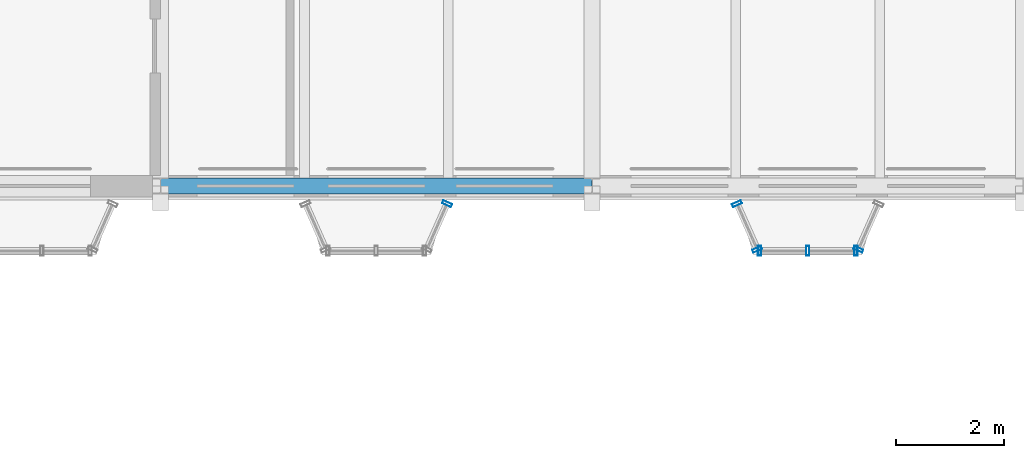
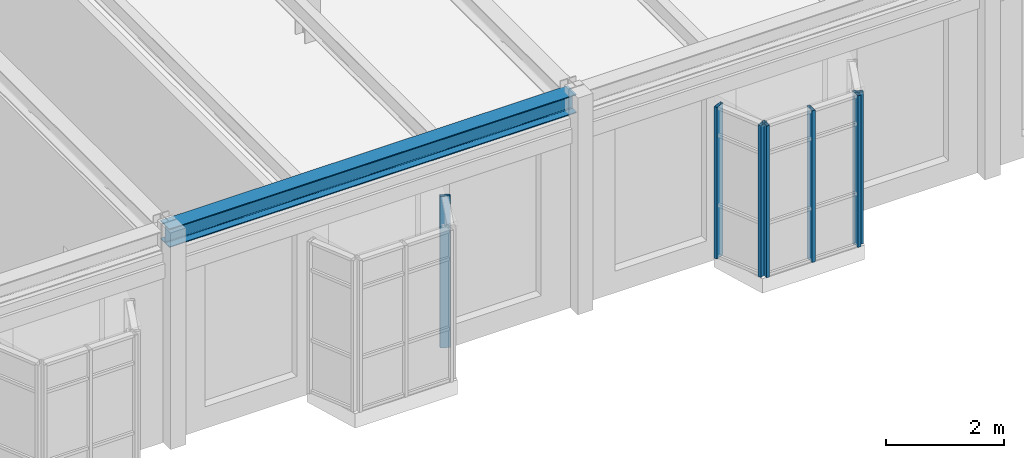
# One storey, part 45 of 153: 7 members, 1 beam, 4 elements without a shape of their own.
"""IFC4 building model written with IfcOpenShell, lengths in metres."""

from ifc_helpers import new_model, si_unit, direction, frame, origin, origin_2d, place, context, subcontext, project, spatial, hollow_rectangle, i_section, extrude, material, material_profile, profile_set, type_object, element, aggregate, save


model = new_model("IFC4")

# Units and contexts
model_context = context("Model", 3, precision=1e-05, world=origin(), true_north=direction((0.0, 1.0)))
body_context = subcontext(model_context, "Body", "Model", "MODEL_VIEW")
ifc_project = project(units=[si_unit("LENGTHUNIT", "METRE"), si_unit("AREAUNIT", "SQUARE_METRE"), si_unit("VOLUMEUNIT", "CUBIC_METRE"), si_unit("PLANEANGLEUNIT", "RADIAN"), si_unit("MASSUNIT", "GRAM", prefix="KILO")], contexts=[model_context])

# Site, building, storey
site_placement = place(None, origin())
site = spatial("IfcSite", under=ifc_project, at=site_placement, CompositionType="ELEMENT")
building_placement = place(site_placement, origin())
building = spatial("IfcBuilding", under=site, at=building_placement, Name="Kallimachos Central Library", CompositionType="ELEMENT")
storey_placement = place(building_placement, frame((0.0, 0.0, 5.39990234375)))
storey = spatial("IfcBuildingStorey", under=building, at=storey_placement, Name="L01", CompositionType="ELEMENT", Elevation=5.39990234375)

# Curtain wall, member
ifc_material_1 = material(Name="Laminated glass in anodised aluminium", Category="aluminium")
curtain_wall_type = type_object("IfcCurtainWallType", Name="Foyer curtain wall", PredefinedType="NOTDEFINED", material=ifc_material_1)
curtain_wall_1_placement = place(storey_placement, origin())
curtain_wall_1 = element("IfcCurtainWall", 1, at=curtain_wall_1_placement, inside=storey, type_object=curtain_wall_type, Name="Tribune bay return east", PredefinedType="NOTDEFINED")
ifc_material_2 = material(Name="Anodised aluminium", Category="aluminium")
ifc_material_profile_1 = material_profile(ifc_material_2, hollow_rectangle(XDim=0.06005859375, YDim=0.179931640625, WallThickness=0.00390625, at=origin_2d()), Name="ALU MULLION 60x180")
ifc_profile_set_1 = profile_set([ifc_material_profile_1], Name="Anodised aluminium")
member_type = type_object("IfcMemberType", Name="ALU MULLION 60x180 mullion", PredefinedType="MULLION", material=ifc_profile_set_1)
member_1_placement = place(storey_placement, frame((19.312744140625, 86.672607421875, 0.150146484375), z_axis=(0.0, 0.0, 1.0), x_axis=(0.40613846606, 0.913811548617, 0.0)))
member_1 = element("IfcMember", 2, at=member_1_placement, type_object=member_type, Name="CW mullion 2", PredefinedType="MULLION", context=body_context, shape_type="SweptSolid", body=[
    extrude(hollow_rectangle(XDim=0.06005859375, YDim=0.179931640625, WallThickness=0.00390625, at=origin_2d()), origin(), (0.0, 0.0, 1.0), 3.14990234375),
])
aggregate(curtain_wall_1, [member_1])

# Curtain wall, members
curtain_wall_2_placement = place(storey_placement, origin())
curtain_wall_2 = element("IfcCurtainWall", 3, at=curtain_wall_2_placement, inside=storey, type_object=curtain_wall_type, Name="Tribune bay return west", PredefinedType="NOTDEFINED")
member_2_placement = place(storey_placement, frame((24.687255859375, 86.672607421875, 0.150146484375), z_axis=(0.0, 0.0, 1.0), x_axis=(0.40613846606, -0.913811548617, 0.0)))
member_2 = element("IfcMember", 4, at=member_2_placement, type_object=member_type, Name="CW mullion 1", PredefinedType="MULLION", context=body_context, shape_type="SweptSolid", body=[
    extrude(hollow_rectangle(XDim=0.06005859375, YDim=0.179931640625, WallThickness=0.00390625, at=origin_2d()), origin(), (0.0, 0.0, 1.0), 3.14990234375),
])
member_3_placement = place(storey_placement, frame((25.062744140625, 85.827392578125, 0.150146484375), z_axis=(0.0, 0.0, 1.0), x_axis=(0.40613846606, -0.913811548617, 0.0)))
member_3 = element("IfcMember", 5, at=member_3_placement, type_object=member_type, Name="CW mullion 2", PredefinedType="MULLION", context=body_context, shape_type="SweptSolid", body=[
    extrude(hollow_rectangle(XDim=0.06005859375, YDim=0.179931640625, WallThickness=0.00390625, at=origin_2d()), origin(), (0.0, 0.0, 1.0), 3.14990234375),
])
aggregate(curtain_wall_2, [member_2, member_3])

curtain_wall_3_placement = place(storey_placement, origin())
curtain_wall_3 = element("IfcCurtainWall", 6, at=curtain_wall_3_placement, inside=storey, type_object=curtain_wall_type, Name="Tribune bay front", PredefinedType="NOTDEFINED")
member_4_placement = place(storey_placement, frame((25.10498046875, 85.800048828125, 0.150146484375), z_axis=(0.0, 0.0, 1.0), x_axis=(1.0, 0.0, 0.0)))
member_4 = element("IfcMember", 7, at=member_4_placement, type_object=member_type, Name="CW mullion 1", PredefinedType="MULLION", context=body_context, shape_type="SweptSolid", body=[
    extrude(hollow_rectangle(XDim=0.06005859375, YDim=0.179931640625, WallThickness=0.00390625, at=origin_2d()), origin(), (0.0, 0.0, 1.0), 3.14990234375),
])
member_5_placement = place(storey_placement, frame((26.0, 85.800048828125, 0.150146484375), z_axis=(0.0, 0.0, 1.0), x_axis=(1.0, 0.0, 0.0)))
member_5 = element("IfcMember", 8, at=member_5_placement, type_object=member_type, Name="CW mullion 2", PredefinedType="MULLION", context=body_context, shape_type="SweptSolid", body=[
    extrude(hollow_rectangle(XDim=0.06005859375, YDim=0.179931640625, WallThickness=0.00390625, at=origin_2d()), origin(), (0.0, 0.0, 1.0), 3.14990234375),
])
member_6_placement = place(storey_placement, frame((26.89501953125, 85.800048828125, 0.150146484375), z_axis=(0.0, 0.0, 1.0), x_axis=(1.0, 0.0, 0.0)))
member_6 = element("IfcMember", 9, at=member_6_placement, type_object=member_type, Name="CW mullion 3", PredefinedType="MULLION", context=body_context, shape_type="SweptSolid", body=[
    extrude(hollow_rectangle(XDim=0.06005859375, YDim=0.179931640625, WallThickness=0.00390625, at=origin_2d()), origin(), (0.0, 0.0, 1.0), 3.14990234375),
])
aggregate(curtain_wall_3, [member_4, member_5, member_6])

# Curtain wall, member
curtain_wall_4_placement = place(storey_placement, origin())
curtain_wall_4 = element("IfcCurtainWall", 10, at=curtain_wall_4_placement, inside=storey, type_object=curtain_wall_type, Name="Tribune bay return east", PredefinedType="NOTDEFINED")
member_7_placement = place(storey_placement, frame((26.937255859375, 85.827392578125, 0.150146484375), z_axis=(0.0, 0.0, 1.0), x_axis=(0.40613846606, 0.913811548617, 0.0)))
member_7 = element("IfcMember", 11, at=member_7_placement, type_object=member_type, Name="CW mullion 1", PredefinedType="MULLION", context=body_context, shape_type="SweptSolid", body=[
    extrude(hollow_rectangle(XDim=0.06005859375, YDim=0.179931640625, WallThickness=0.00390625, at=origin_2d()), origin(), (0.0, 0.0, 1.0), 3.14990234375),
])
aggregate(curtain_wall_4, [member_7])

# Beam
ifc_material_3 = material(Name="Steel S355J2", Category="steel")
ifc_material_profile_2 = material_profile(ifc_material_3, i_section(OverallWidth=0.300048828125, OverallDepth=0.389892578125, WebThickness=0.010986328125, FlangeThickness=0.01904296875, FilletRadius=0.027099609375, at=origin_2d()), Name="HEA 400")
ifc_profile_set_2 = profile_set([ifc_material_profile_2], Name="Steel S355J2")
beam_type = type_object("IfcBeamType", Name="HEA 400 beam", PredefinedType="BEAM", material=ifc_profile_set_2)
beam_placement = place(storey_placement, frame((14.0, 87.0, 4.155029296875), z_axis=(1.0, 0.0, 0.0), x_axis=(0.0, 1.0, 0.0)))
element("IfcBeam", 12, at=beam_placement, inside=storey, type_object=beam_type, Name="V2-BEM-L01-017", PredefinedType="BEAM", context=body_context, shape_type="SweptSolid", body=[
    extrude(i_section(OverallWidth=0.300048828125, OverallDepth=0.389892578125, WebThickness=0.010986328125, FlangeThickness=0.01904296875, FilletRadius=0.027099609375, at=origin_2d()), origin(), (0.0, 0.0, 1.0), 8.0),
])

save(model, "model.ifc")
